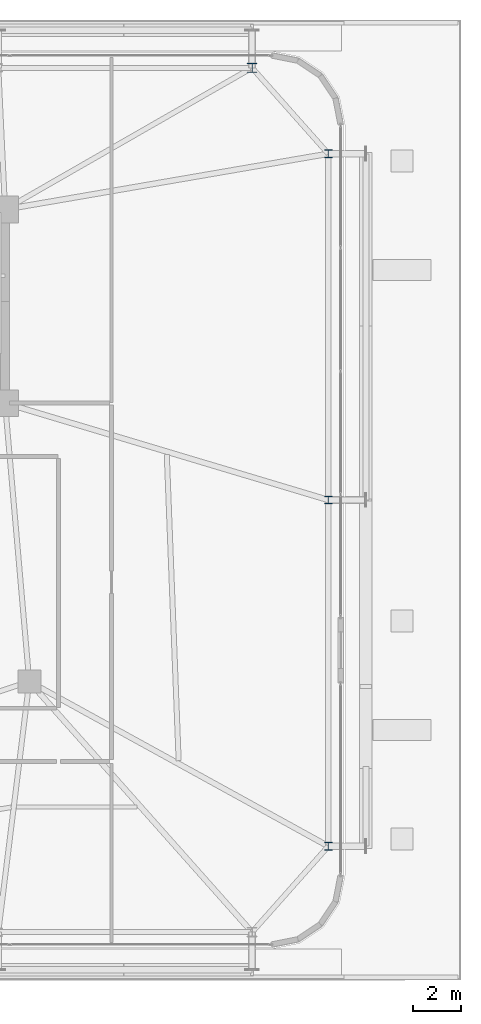
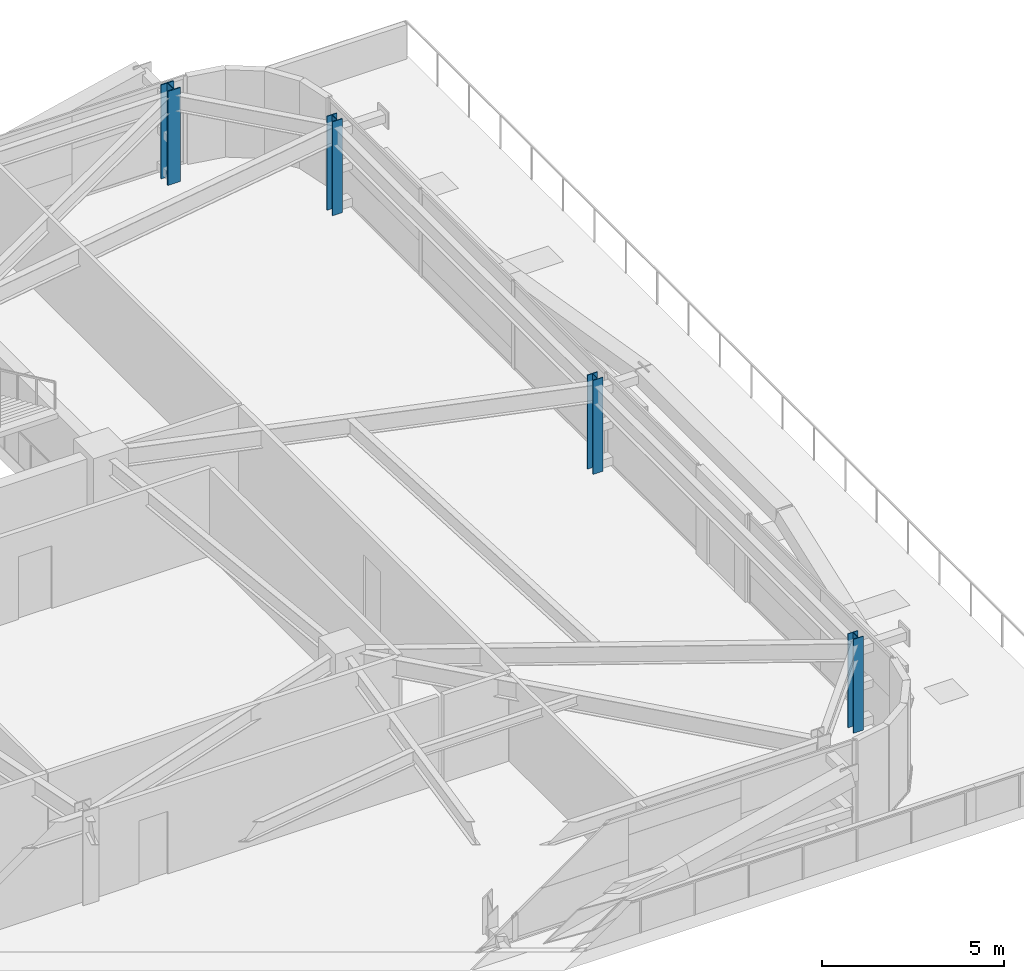
# One storey, part 4 of 56: 4 columns.
"""IFC4 building model written with IfcOpenShell, lengths in metres."""

from ifc_helpers import new_model, si_unit, direction, frame, origin, origin_2d, place, context, subcontext, project, spatial, i_section, extrude, source, transform, mapped, material, material_profile, profile_set, type_object, element, save


model = new_model("IFC4")

# Units and contexts
model_context = context("Model", 3, precision=1e-05, world=origin(), true_north=direction((0.0, 1.0)))
body_context = subcontext(model_context, "Body", "Model", "MODEL_VIEW")
ifc_project = project(units=[si_unit("LENGTHUNIT", "METRE"), si_unit("AREAUNIT", "SQUARE_METRE"), si_unit("VOLUMEUNIT", "CUBIC_METRE"), si_unit("PLANEANGLEUNIT", "RADIAN"), si_unit("MASSUNIT", "GRAM", prefix="KILO")], contexts=[model_context])

# Site, building, storey
site_placement = place(None, origin())
site = spatial("IfcSite", under=ifc_project, at=site_placement, CompositionType="ELEMENT")
building_placement = place(site_placement, origin())
building = spatial("IfcBuilding", under=site, at=building_placement, Name="Taldren Reach Tower", CompositionType="ELEMENT")
storey_placement = place(building_placement, frame((0.0, 0.0, 16.800048828125)))
storey = spatial("IfcBuildingStorey", under=building, at=storey_placement, Name="L04", CompositionType="ELEMENT", Elevation=16.800048828125)

# Columns
ifc_material = material(Name="Steel Gr 350 (350PLUS)", Category="steel")
ifc_material_profile_1 = material_profile(ifc_material, i_section(OverallWidth=0.39990234375, OverallDepth=0.39599609375, WebThickness=0.02197265625, FlangeThickness=0.033935546875, at=origin_2d()), Name="400WC270")
ifc_profile_set_1 = profile_set([ifc_material_profile_1], Name="Steel Gr 350 (350PLUS)")
column_type_1 = type_object("IfcColumnType", Name="COL-WC400", PredefinedType="COLUMN", material=ifc_profile_set_1)
shared_shape_1 = source(origin(), body_context, "Body", "SweptSolid", [
    extrude(i_section(OverallWidth=0.39990234375, OverallDepth=0.39599609375, WebThickness=0.02197265625, FlangeThickness=0.033935546875, at=origin_2d()), origin(), (0.0, 0.0, 1.0), 3.14990234375),
])
column_placement = place(storey_placement, frame((61.199951171875, 37.85009765625, 0.0), z_axis=(0.0, 0.0, 1.0), x_axis=(1.0, 0.0, 0.0)))
element("IfcColumn", 1, at=column_placement, inside=storey, type_object=column_type_1, Name="Block B1 perimeter column N6 L04", PredefinedType="COLUMN", context=body_context, shape_type="MappedRepresentation", body=[
    mapped(shared_shape_1, transform((0.0, 0.0, 0.0), scale=1.0)),
])
ifc_material_profile_2 = material_profile(ifc_material, i_section(OverallWidth=0.31103515625, OverallDepth=0.326904296875, WebThickness=0.015625, FlangeThickness=0.02490234375, at=origin_2d()), Name="310UC158")
ifc_profile_set_2 = profile_set([ifc_material_profile_2], Name="Steel Gr 350 (350PLUS)")
column_type_2 = type_object("IfcColumnType", Name="COL-UC310A", PredefinedType="COLUMN", material=ifc_profile_set_2)
shared_shape_2 = source(origin(), body_context, "Body", "SweptSolid", [
    extrude(i_section(OverallWidth=0.31103515625, OverallDepth=0.326904296875, WebThickness=0.015625, FlangeThickness=0.02490234375, at=origin_2d()), origin(), (0.0, 0.0, 1.0), 3.14990234375),
])
for number, where, z_axis, x_axis, name in (
    (2, (64.35009765625, 5.699951171875, 0.0), (0.0, 0.0, 1.0), (1.0, 0.0, 0.0), "Block B1 perimeter column E1 L04"),
    (3, (64.35009765625, 20.0, 0.0), (0.0, 0.0, 1.0), (1.0, 0.0, 0.0), "Block B1 perimeter column E2 L04"),
    (4, (64.35009765625, 34.300048828125, 0.0), (0.0, 0.0, 1.0), (1.0, 0.0, 0.0), "Block B1 perimeter column E3 L04"),
):
    element("IfcColumn", number, at=place(storey_placement, frame(where, z_axis=z_axis, x_axis=x_axis)), inside=storey, type_object=column_type_2, Name=name, PredefinedType="COLUMN", context=body_context, shape_type="MappedRepresentation", body=[
        mapped(shared_shape_2, transform((0.0, 0.0, 0.0), scale=1.0)),
    ])

save(model, "model.ifc")
